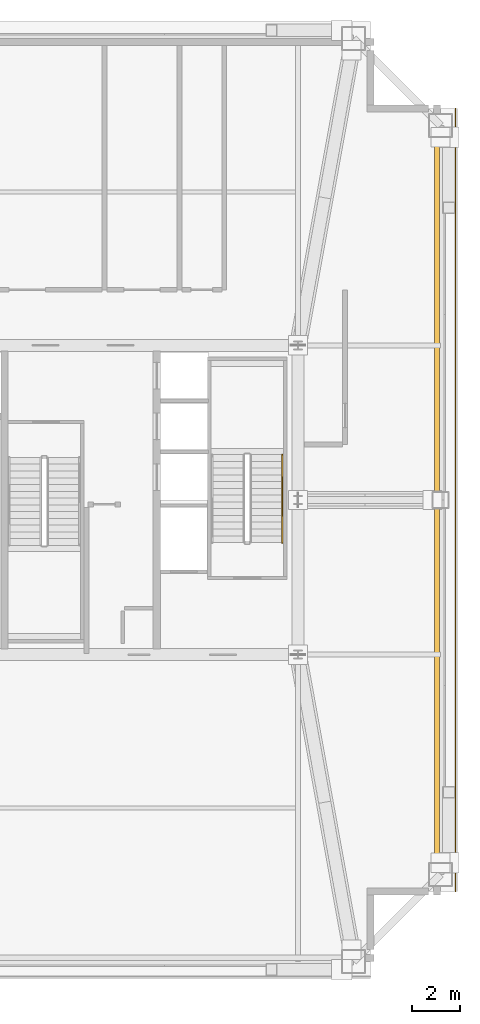
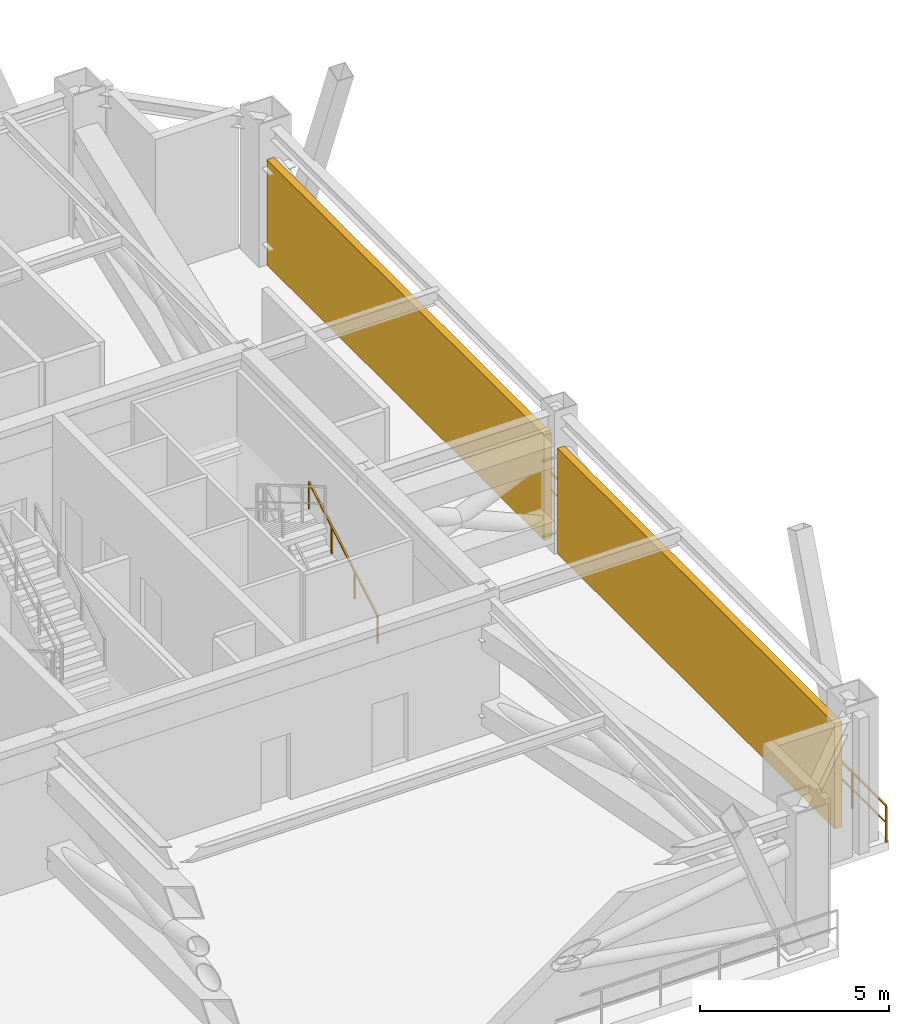
# One storey, part 9 of 9: 2 railings, 2 shading devices.
"""IFC4 building model written with IfcOpenShell, lengths in metres."""

from ifc_helpers import new_model, si_unit, direction, frame, origin, origin_2d, place, context, subcontext, project, spatial, rectangle, extrude, source, transform, mapped, material, layer, layer_set, type_object, element, save


model = new_model("IFC4")

# Units and contexts
model_context = context("Model", 3, precision=1e-05, world=origin(), true_north=direction((0.0, 1.0)))
body_context = subcontext(model_context, "Body", "Model", "MODEL_VIEW")
ifc_project = project(units=[si_unit("LENGTHUNIT", "METRE"), si_unit("AREAUNIT", "SQUARE_METRE"), si_unit("VOLUMEUNIT", "CUBIC_METRE"), si_unit("PLANEANGLEUNIT", "RADIAN"), si_unit("MASSUNIT", "GRAM", prefix="KILO"), si_unit("THERMODYNAMICTEMPERATUREUNIT", "KELVIN"), si_unit("POWERUNIT", "WATT")], contexts=[model_context])

# Site, building, storey
site_placement = place(None, origin())
site = spatial("IfcSite", under=ifc_project, at=site_placement, CompositionType="ELEMENT")
building_placement = place(site_placement, origin())
building = spatial("IfcBuilding", under=site, at=building_placement, Name="Yuzanri Waterfront Tower", CompositionType="ELEMENT")
storey_placement = place(building_placement, frame((0.0, 0.0, 306.60009765625)))
storey = spatial("IfcBuildingStorey", under=building, at=storey_placement, Name="L82", CompositionType="ELEMENT", Elevation=306.60009765625)

# Shading devices
ifc_material_1 = material(Name="Anodized Architectural Bronze", Category="metal")
ifc_layer_1 = layer(ifc_material_1, 0.219970703125)
ifc_layer_set_1 = layer_set([ifc_layer_1], Name="Anodized Architectural Bronze")
shading_device_type = type_object("IfcShadingDeviceType", Name="Anodized Bronze Refuge Wind-Diffusing Louvre Screen 220", PredefinedType="USERDEFINED", material=ifc_layer_set_1)
shared_shape_1 = source(origin(), body_context, "Body", "SweptSolid", [
    extrude(rectangle(XDim=0.219970703125, YDim=14.64990234375, at=origin_2d()), origin(), (0.0, 0.0, 1.0), 3.39990234375),
])
for number, where, z_axis, x_axis, name in (
    (1, (55.949951171875, 18.125, 0.0), (0.0, 0.0, 1.0), (1.0, 0.0, 0.0), "L82 Wind-Diffusing Refuge Louvre EL"),
    (2, (55.949951171875, 33.47509765625, 0.0), (0.0, 0.0, 1.0), (1.0, 0.0, 0.0), "L82 Wind-Diffusing Refuge Louvre ER"),
):
    element("IfcShadingDevice", number, at=place(storey_placement, frame(where, z_axis=z_axis, x_axis=x_axis)), inside=storey, type_object=shading_device_type, Name=name, ObjectType="LOUVRE", PredefinedType="USERDEFINED", context=body_context, shape_type="MappedRepresentation", body=[
        mapped(shared_shape_1, transform((0.0, 0.0, 0.0), scale=1.0)),
    ])

# Railings
ifc_material_2 = material(Name="Anodized Architectural Bronze", Category="metal")
ifc_layer_2 = layer(ifc_material_2, 0.080078125)
ifc_layer_set_2 = layer_set([ifc_layer_2], Name="Anodized Architectural Bronze")
railing_type_1 = type_object("IfcRailingType", Name="Laminated Glass and Bronze Balcony Guardrail 1200", PredefinedType="BALUSTRADE", material=ifc_layer_set_2)
shared_shape_2 = source(origin(), body_context, "Body", "SweptSolid", [
    extrude(rectangle(XDim=0.050048828125, YDim=0.050048828125, at=origin_2d()), frame((0.0, 0.0, 1.1748046875), z_axis=(0.0, 1.0, 0.0), x_axis=(-1.0, 0.0, 0.0)), (0.0, 0.0, 1.0), 32.39990234375),
    extrude(rectangle(XDim=0.035888671875, YDim=0.030029296875, at=origin_2d()), frame((0.0, 0.0, 0.6240234375), z_axis=(0.0, 1.0, 0.0), x_axis=(-1.0, 0.0, 0.0)), (0.0, 0.0, 1.0), 32.39990234375),
    extrude(rectangle(XDim=0.0458984375, YDim=0.0458984375, at=origin_2d()), origin(), (0.0, 0.0, 1.0), 1.14990234375),
    extrude(rectangle(XDim=0.0458984375, YDim=0.0458984375, at=origin_2d()), frame((0.0, 1.800048828125, 0.0)), (0.0, 0.0, 1.0), 1.14990234375),
    extrude(rectangle(XDim=0.0458984375, YDim=0.0458984375, at=origin_2d()), frame((0.0, 3.60009765625, 0.0)), (0.0, 0.0, 1.0), 1.14990234375),
    extrude(rectangle(XDim=0.0458984375, YDim=0.0458984375, at=origin_2d()), frame((0.0, 5.39990234375, 0.0)), (0.0, 0.0, 1.0), 1.14990234375),
    extrude(rectangle(XDim=0.0458984375, YDim=0.0458984375, at=origin_2d()), frame((0.0, 7.199951171875, 0.0)), (0.0, 0.0, 1.0), 1.14990234375),
    extrude(rectangle(XDim=0.0458984375, YDim=0.0458984375, at=origin_2d()), frame((0.0, 9.0, 0.0)), (0.0, 0.0, 1.0), 1.14990234375),
    extrude(rectangle(XDim=0.0458984375, YDim=0.0458984375, at=origin_2d()), frame((0.0, 10.800048828125, 0.0)), (0.0, 0.0, 1.0), 1.14990234375),
    extrude(rectangle(XDim=0.0458984375, YDim=0.0458984375, at=origin_2d()), frame((0.0, 12.599853515625, 0.0)), (0.0, 0.0, 1.0), 1.14990234375),
    extrude(rectangle(XDim=0.0458984375, YDim=0.0458984375, at=origin_2d()), frame((0.0, 14.39990234375, 0.0)), (0.0, 0.0, 1.0), 1.14990234375),
    extrude(rectangle(XDim=0.0458984375, YDim=0.0458984375, at=origin_2d()), frame((0.0, 16.199951171875, 0.0)), (0.0, 0.0, 1.0), 1.14990234375),
    extrude(rectangle(XDim=0.0458984375, YDim=0.0458984375, at=origin_2d()), frame((0.0, 18.0, 0.0)), (0.0, 0.0, 1.0), 1.14990234375),
    extrude(rectangle(XDim=0.0458984375, YDim=0.0458984375, at=origin_2d()), frame((0.0, 19.800048828125, 0.0)), (0.0, 0.0, 1.0), 1.14990234375),
    extrude(rectangle(XDim=0.0458984375, YDim=0.0458984375, at=origin_2d()), frame((0.0, 21.599853515625, 0.0)), (0.0, 0.0, 1.0), 1.14990234375),
    extrude(rectangle(XDim=0.0458984375, YDim=0.0458984375, at=origin_2d()), frame((0.0, 23.39990234375, 0.0)), (0.0, 0.0, 1.0), 1.14990234375),
    extrude(rectangle(XDim=0.0458984375, YDim=0.0458984375, at=origin_2d()), frame((0.0, 25.199951171875, 0.0)), (0.0, 0.0, 1.0), 1.14990234375),
    extrude(rectangle(XDim=0.0458984375, YDim=0.0458984375, at=origin_2d()), frame((0.0, 27.0, 0.0)), (0.0, 0.0, 1.0), 1.14990234375),
    extrude(rectangle(XDim=0.0458984375, YDim=0.0458984375, at=origin_2d()), frame((0.0, 28.7998046875, 0.0)), (0.0, 0.0, 1.0), 1.14990234375),
    extrude(rectangle(XDim=0.0458984375, YDim=0.0458984375, at=origin_2d()), frame((0.0, 30.599853515625, 0.0)), (0.0, 0.0, 1.0), 1.14990234375),
    extrude(rectangle(XDim=0.0458984375, YDim=0.0458984375, at=origin_2d()), frame((0.0, 32.39990234375, 0.0)), (0.0, 0.0, 1.0), 1.14990234375),
])
railing_1_placement = place(storey_placement, frame((56.719970703125, 9.60009765625, 0.0)))
element("IfcRailing", 3, at=railing_1_placement, inside=storey, type_object=railing_type_1, Name="L82 East Refuge Edge Guard", PredefinedType="BALUSTRADE", context=body_context, shape_type="MappedRepresentation", body=[
    mapped(shared_shape_2, transform((0.0, 0.0, 0.0), scale=1.0)),
])
ifc_material_3 = material(Name="Anodized Architectural Bronze", Category="metal")
ifc_layer_3 = layer(ifc_material_3, 0.050048828125)
ifc_layer_set_3 = layer_set([ifc_layer_3], Name="Anodized Architectural Bronze")
railing_type_2 = type_object("IfcRailingType", Name="Brushed Bronze Stair Pitch Handrail 920", PredefinedType="HANDRAIL", material=ifc_layer_set_3)
shared_shape_3 = source(origin(), body_context, "Body", "SweptSolid", [
    extrude(rectangle(XDim=0.050048828125, YDim=0.050048828125, at=origin_2d()), frame((0.0, 0.0, 0.875), z_axis=(0.0, 0.862515142463, 0.50603125301), x_axis=(-1.0, 0.0, 0.0)), (0.0, 0.0, 1.0), 4.219970703125),
    extrude(rectangle(XDim=0.0458984375, YDim=0.0458984375, at=origin_2d()), origin(), (0.0, 0.0, 1.0), 0.849853515625),
    extrude(rectangle(XDim=0.0458984375, YDim=0.0458984375, at=origin_2d()), frame((0.0, 1.21337890625, 0.7119140625)), (0.0, 0.0, 1.0), 0.849853515625),
    extrude(rectangle(XDim=0.0458984375, YDim=0.0458984375, at=origin_2d()), frame((0.0, 2.426513671875, 1.423583984375)), (0.0, 0.0, 1.0), 0.849853515625),
    extrude(rectangle(XDim=0.0458984375, YDim=0.0458984375, at=origin_2d()), frame((0.0, 3.639892578125, 2.135498046875)), (0.0, 0.0, 1.0), 0.849853515625),
])
railing_2_placement = place(storey_placement, frame((49.550048828125, 24.0400390625, 0.164306640625)))
element("IfcRailing", 4, at=railing_2_placement, inside=storey, type_object=railing_type_2, Name="L82 ST-02 stair handrail 1", PredefinedType="HANDRAIL", context=body_context, shape_type="MappedRepresentation", body=[
    mapped(shared_shape_3, transform((0.0, 0.0, 0.0), scale=1.0)),
])

save(model, "model.ifc")
